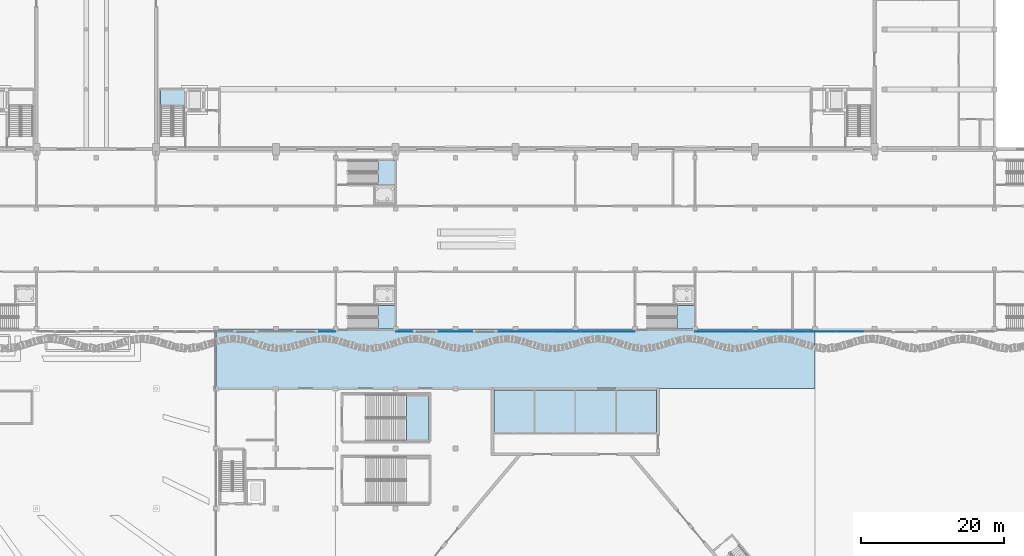
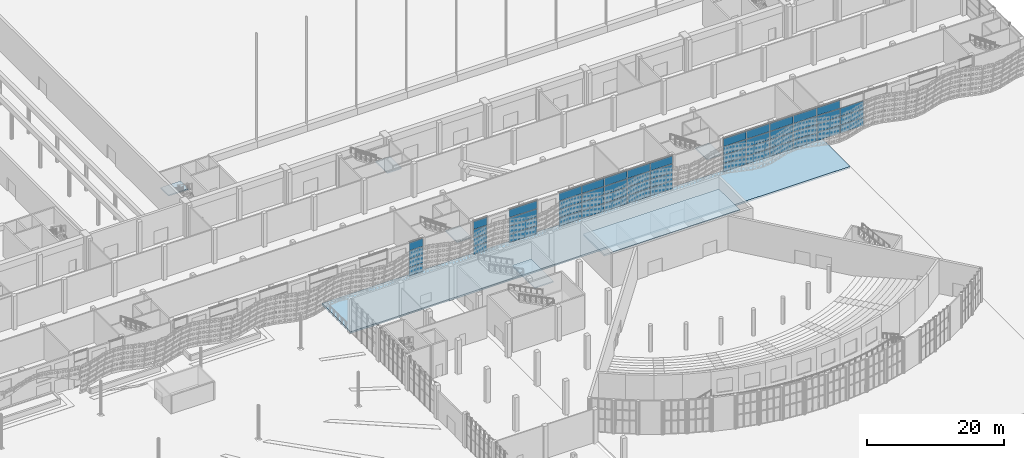
# One storey, part 92 of 210: 55 plates, 7 slabs, 10 elements without a shape of their own.
"""IFC4 building model written with IfcOpenShell, lengths in metres."""

from ifc_helpers import new_model, si_unit, direction, frame, origin, origin_2d, place, context, subcontext, project, spatial, polyline, rectangle, outline, extrude, material, layer, layer_set, type_object, element, aggregate, save


model = new_model("IFC4")

# Units and contexts
model_context = context("Model", 3, precision=1e-05, world=origin(), true_north=direction((0.0, 1.0)))
body_context = subcontext(model_context, "Body", "Model", "MODEL_VIEW")
ifc_project = project(units=[si_unit("LENGTHUNIT", "METRE"), si_unit("AREAUNIT", "SQUARE_METRE"), si_unit("VOLUMEUNIT", "CUBIC_METRE"), si_unit("PLANEANGLEUNIT", "RADIAN"), si_unit("MASSUNIT", "GRAM", prefix="KILO")], contexts=[model_context])

# Site, building, storey
site_placement = place(None, origin())
site = spatial("IfcSite", under=ifc_project, at=site_placement, CompositionType="ELEMENT")
building_placement = place(site_placement, origin())
building = spatial("IfcBuilding", under=site, at=building_placement, Name="Rain Tree Exposition and Congress Centre", CompositionType="ELEMENT")
storey_placement = place(building_placement, origin())
storey = spatial("IfcBuildingStorey", under=building, at=storey_placement, Name="L00", CompositionType="ELEMENT", Elevation=0.0)

# Curtain wall, plates
ifc_material_1 = material(Name="Aluminium curtain wall system", Category="aluminium")
ifc_layer_1 = layer(ifc_material_1, 0.10009765625)
ifc_layer_set_1 = layer_set([ifc_layer_1], Name="Aluminium curtain wall system")
curtain_wall_type = type_object("IfcCurtainWallType", Name="Concourse curtain wall 4200 module", PredefinedType="NOTDEFINED", material=ifc_layer_set_1)
curtain_wall_1_placement = place(storey_placement, origin())
curtain_wall_1 = element("IfcCurtainWall", 1, at=curtain_wall_1_placement, inside=storey, type_object=curtain_wall_type, Name="Concourse curtain wall CWC15", PredefinedType="NOTDEFINED")
ifc_material_2 = material(Name="Laminated low-e glass", Category="glass")
ifc_layer_2 = layer(ifc_material_2, 0.028076171875)
ifc_layer_set_2 = layer_set([ifc_layer_2], Name="Laminated low-e glass")
plate_type = type_object("IfcPlateType", Name="Concourse curtain wall glass panel 28", PredefinedType="CURTAIN_PANEL", material=ifc_layer_set_2)
plate_1_placement = place(storey_placement, frame((166.800048828125, 75.199951171875, 0.06005859375), z_axis=(0.0, 0.0, 1.0), x_axis=(1.0, 0.0, 0.0)))
plate_1 = element("IfcPlate", 2, at=plate_1_placement, type_object=plate_type, Name="CWC15 panel 1.1", PredefinedType="CURTAIN_PANEL", context=body_context, shape_type="SweptSolid", body=[
    extrude(rectangle(XDim=2.280029296875, YDim=0.028076171875, at=origin_2d()), origin(), (0.0, 0.0, 1.0), 1.409912109375),
])
plate_2_placement = place(storey_placement, frame((166.800048828125, 75.199951171875, 1.530029296875), z_axis=(0.0, 0.0, 1.0), x_axis=(1.0, 0.0, 0.0)))
plate_2 = element("IfcPlate", 3, at=plate_2_placement, type_object=plate_type, Name="CWC15 panel 1.2", PredefinedType="CURTAIN_PANEL", context=body_context, shape_type="SweptSolid", body=[
    extrude(rectangle(XDim=2.280029296875, YDim=0.028076171875, at=origin_2d()), origin(), (0.0, 0.0, 1.0), 1.43994140625),
])
plate_3_placement = place(storey_placement, frame((166.800048828125, 75.199951171875, 3.030029296875), z_axis=(0.0, 0.0, 1.0), x_axis=(1.0, 0.0, 0.0)))
plate_3 = element("IfcPlate", 4, at=plate_3_placement, type_object=plate_type, Name="CWC15 panel 1.3", PredefinedType="CURTAIN_PANEL", context=body_context, shape_type="SweptSolid", body=[
    extrude(rectangle(XDim=2.280029296875, YDim=0.028076171875, at=origin_2d()), origin(), (0.0, 0.0, 1.0), 1.43994140625),
])
plate_4_placement = place(storey_placement, frame((166.800048828125, 75.199951171875, 4.5302734375), z_axis=(0.0, 0.0, 1.0), x_axis=(1.0, 0.0, 0.0)))
plate_4 = element("IfcPlate", 5, at=plate_4_placement, type_object=plate_type, Name="CWC15 panel 1.4", PredefinedType="CURTAIN_PANEL", context=body_context, shape_type="SweptSolid", body=[
    extrude(rectangle(XDim=2.280029296875, YDim=0.028076171875, at=origin_2d()), origin(), (0.0, 0.0, 1.0), 1.409912109375),
])
aggregate(curtain_wall_1, [plate_1, plate_2, plate_3, plate_4])

curtain_wall_2_placement = place(storey_placement, origin())
curtain_wall_2 = element("IfcCurtainWall", 6, at=curtain_wall_2_placement, inside=storey, type_object=curtain_wall_type, Name="Concourse curtain wall CWC16", PredefinedType="NOTDEFINED")
plate_5_placement = place(storey_placement, frame((177.60009765625, 75.199951171875, 0.06005859375), z_axis=(0.0, 0.0, 1.0), x_axis=(1.0, 0.0, 0.0)))
plate_5 = element("IfcPlate", 7, at=plate_5_placement, type_object=plate_type, Name="CWC16 panel 1.1", PredefinedType="CURTAIN_PANEL", context=body_context, shape_type="SweptSolid", body=[
    extrude(rectangle(XDim=2.280029296875, YDim=0.028076171875, at=origin_2d()), origin(), (0.0, 0.0, 1.0), 1.409912109375),
])
plate_6_placement = place(storey_placement, frame((177.60009765625, 75.199951171875, 1.530029296875), z_axis=(0.0, 0.0, 1.0), x_axis=(1.0, 0.0, 0.0)))
plate_6 = element("IfcPlate", 8, at=plate_6_placement, type_object=plate_type, Name="CWC16 panel 1.2", PredefinedType="CURTAIN_PANEL", context=body_context, shape_type="SweptSolid", body=[
    extrude(rectangle(XDim=2.280029296875, YDim=0.028076171875, at=origin_2d()), origin(), (0.0, 0.0, 1.0), 1.43994140625),
])
plate_7_placement = place(storey_placement, frame((177.60009765625, 75.199951171875, 3.030029296875), z_axis=(0.0, 0.0, 1.0), x_axis=(1.0, 0.0, 0.0)))
plate_7 = element("IfcPlate", 9, at=plate_7_placement, type_object=plate_type, Name="CWC16 panel 1.3", PredefinedType="CURTAIN_PANEL", context=body_context, shape_type="SweptSolid", body=[
    extrude(rectangle(XDim=2.280029296875, YDim=0.028076171875, at=origin_2d()), origin(), (0.0, 0.0, 1.0), 1.43994140625),
])
plate_8_placement = place(storey_placement, frame((177.60009765625, 75.199951171875, 4.5302734375), z_axis=(0.0, 0.0, 1.0), x_axis=(1.0, 0.0, 0.0)))
plate_8 = element("IfcPlate", 10, at=plate_8_placement, type_object=plate_type, Name="CWC16 panel 1.4", PredefinedType="CURTAIN_PANEL", context=body_context, shape_type="SweptSolid", body=[
    extrude(rectangle(XDim=2.280029296875, YDim=0.028076171875, at=origin_2d()), origin(), (0.0, 0.0, 1.0), 1.409912109375),
])
aggregate(curtain_wall_2, [plate_5, plate_6, plate_7, plate_8])

curtain_wall_3_placement = place(storey_placement, origin())
curtain_wall_3 = element("IfcCurtainWall", 11, at=curtain_wall_3_placement, inside=storey, type_object=curtain_wall_type, Name="Concourse curtain wall CWC17", PredefinedType="NOTDEFINED")
plate_9_placement = place(storey_placement, frame((184.800048828125, 75.199951171875, 0.06005859375), z_axis=(0.0, 0.0, 1.0), x_axis=(1.0, 0.0, 0.0)))
plate_9 = element("IfcPlate", 12, at=plate_9_placement, type_object=plate_type, Name="CWC17 panel 1.1", PredefinedType="CURTAIN_PANEL", context=body_context, shape_type="SweptSolid", body=[
    extrude(rectangle(XDim=4.679931640625, YDim=0.028076171875, at=origin_2d()), origin(), (0.0, 0.0, 1.0), 1.409912109375),
])
plate_10_placement = place(storey_placement, frame((184.800048828125, 75.199951171875, 1.530029296875), z_axis=(0.0, 0.0, 1.0), x_axis=(1.0, 0.0, 0.0)))
plate_10 = element("IfcPlate", 13, at=plate_10_placement, type_object=plate_type, Name="CWC17 panel 1.2", PredefinedType="CURTAIN_PANEL", context=body_context, shape_type="SweptSolid", body=[
    extrude(rectangle(XDim=4.679931640625, YDim=0.028076171875, at=origin_2d()), origin(), (0.0, 0.0, 1.0), 1.43994140625),
])
plate_11_placement = place(storey_placement, frame((184.800048828125, 75.199951171875, 3.030029296875), z_axis=(0.0, 0.0, 1.0), x_axis=(1.0, 0.0, 0.0)))
plate_11 = element("IfcPlate", 14, at=plate_11_placement, type_object=plate_type, Name="CWC17 panel 1.3", PredefinedType="CURTAIN_PANEL", context=body_context, shape_type="SweptSolid", body=[
    extrude(rectangle(XDim=4.679931640625, YDim=0.028076171875, at=origin_2d()), origin(), (0.0, 0.0, 1.0), 1.43994140625),
])
plate_12_placement = place(storey_placement, frame((184.800048828125, 75.199951171875, 4.5302734375), z_axis=(0.0, 0.0, 1.0), x_axis=(1.0, 0.0, 0.0)))
plate_12 = element("IfcPlate", 15, at=plate_12_placement, type_object=plate_type, Name="CWC17 panel 1.4", PredefinedType="CURTAIN_PANEL", context=body_context, shape_type="SweptSolid", body=[
    extrude(rectangle(XDim=4.679931640625, YDim=0.028076171875, at=origin_2d()), origin(), (0.0, 0.0, 1.0), 1.409912109375),
])
aggregate(curtain_wall_3, [plate_9, plate_10, plate_11, plate_12])

curtain_wall_4_placement = place(storey_placement, origin())
curtain_wall_4 = element("IfcCurtainWall", 16, at=curtain_wall_4_placement, inside=storey, type_object=curtain_wall_type, Name="Concourse curtain wall CWC18", PredefinedType="NOTDEFINED")
plate_13_placement = place(storey_placement, frame((192.735107421875, 75.199951171875, 0.06005859375), z_axis=(0.0, 0.0, 1.0), x_axis=(1.0, 0.0, 0.0)))
plate_13 = element("IfcPlate", 17, at=plate_13_placement, type_object=plate_type, Name="CWC18 panel 1.1", PredefinedType="CURTAIN_PANEL", context=body_context, shape_type="SweptSolid", body=[
    extrude(rectangle(XDim=3.75, YDim=0.028076171875, at=origin_2d()), origin(), (0.0, 0.0, 1.0), 1.409912109375),
])
plate_14_placement = place(storey_placement, frame((192.735107421875, 75.199951171875, 1.530029296875), z_axis=(0.0, 0.0, 1.0), x_axis=(1.0, 0.0, 0.0)))
plate_14 = element("IfcPlate", 18, at=plate_14_placement, type_object=plate_type, Name="CWC18 panel 1.2", PredefinedType="CURTAIN_PANEL", context=body_context, shape_type="SweptSolid", body=[
    extrude(rectangle(XDim=3.75, YDim=0.028076171875, at=origin_2d()), origin(), (0.0, 0.0, 1.0), 1.43994140625),
])
plate_15_placement = place(storey_placement, frame((192.735107421875, 75.199951171875, 3.030029296875), z_axis=(0.0, 0.0, 1.0), x_axis=(1.0, 0.0, 0.0)))
plate_15 = element("IfcPlate", 19, at=plate_15_placement, type_object=plate_type, Name="CWC18 panel 1.3", PredefinedType="CURTAIN_PANEL", context=body_context, shape_type="SweptSolid", body=[
    extrude(rectangle(XDim=3.75, YDim=0.028076171875, at=origin_2d()), origin(), (0.0, 0.0, 1.0), 1.43994140625),
])
plate_16_placement = place(storey_placement, frame((192.735107421875, 75.199951171875, 4.5302734375), z_axis=(0.0, 0.0, 1.0), x_axis=(1.0, 0.0, 0.0)))
plate_16 = element("IfcPlate", 20, at=plate_16_placement, type_object=plate_type, Name="CWC18 panel 1.4", PredefinedType="CURTAIN_PANEL", context=body_context, shape_type="SweptSolid", body=[
    extrude(rectangle(XDim=3.75, YDim=0.028076171875, at=origin_2d()), origin(), (0.0, 0.0, 1.0), 1.409912109375),
])
plate_17_placement = place(storey_placement, frame((196.56005859375, 75.199951171875, 0.06005859375), z_axis=(0.0, 0.0, 1.0), x_axis=(1.0, 0.0, 0.0)))
plate_17 = element("IfcPlate", 21, at=plate_17_placement, type_object=plate_type, Name="CWC18 panel 2.1", PredefinedType="CURTAIN_PANEL", context=body_context, shape_type="SweptSolid", body=[
    extrude(rectangle(XDim=3.780029296875, YDim=0.028076171875, at=origin_2d()), origin(), (0.0, 0.0, 1.0), 1.409912109375),
])
plate_18_placement = place(storey_placement, frame((196.56005859375, 75.199951171875, 1.530029296875), z_axis=(0.0, 0.0, 1.0), x_axis=(1.0, 0.0, 0.0)))
plate_18 = element("IfcPlate", 22, at=plate_18_placement, type_object=plate_type, Name="CWC18 panel 2.2", PredefinedType="CURTAIN_PANEL", context=body_context, shape_type="SweptSolid", body=[
    extrude(rectangle(XDim=3.780029296875, YDim=0.028076171875, at=origin_2d()), origin(), (0.0, 0.0, 1.0), 1.43994140625),
])
plate_19_placement = place(storey_placement, frame((196.56005859375, 75.199951171875, 3.030029296875), z_axis=(0.0, 0.0, 1.0), x_axis=(1.0, 0.0, 0.0)))
plate_19 = element("IfcPlate", 23, at=plate_19_placement, type_object=plate_type, Name="CWC18 panel 2.3", PredefinedType="CURTAIN_PANEL", context=body_context, shape_type="SweptSolid", body=[
    extrude(rectangle(XDim=3.780029296875, YDim=0.028076171875, at=origin_2d()), origin(), (0.0, 0.0, 1.0), 1.43994140625),
])
plate_20_placement = place(storey_placement, frame((196.56005859375, 75.199951171875, 4.5302734375), z_axis=(0.0, 0.0, 1.0), x_axis=(1.0, 0.0, 0.0)))
plate_20 = element("IfcPlate", 24, at=plate_20_placement, type_object=plate_type, Name="CWC18 panel 2.4", PredefinedType="CURTAIN_PANEL", context=body_context, shape_type="SweptSolid", body=[
    extrude(rectangle(XDim=3.780029296875, YDim=0.028076171875, at=origin_2d()), origin(), (0.0, 0.0, 1.0), 1.409912109375),
])
plate_21_placement = place(storey_placement, frame((200.39990234375, 75.199951171875, 0.06005859375), z_axis=(0.0, 0.0, 1.0), x_axis=(1.0, 0.0, 0.0)))
plate_21 = element("IfcPlate", 25, at=plate_21_placement, type_object=plate_type, Name="CWC18 panel 3.1", PredefinedType="CURTAIN_PANEL", context=body_context, shape_type="SweptSolid", body=[
    extrude(rectangle(XDim=3.780029296875, YDim=0.028076171875, at=origin_2d()), origin(), (0.0, 0.0, 1.0), 1.409912109375),
])
plate_22_placement = place(storey_placement, frame((200.39990234375, 75.199951171875, 1.530029296875), z_axis=(0.0, 0.0, 1.0), x_axis=(1.0, 0.0, 0.0)))
plate_22 = element("IfcPlate", 26, at=plate_22_placement, type_object=plate_type, Name="CWC18 panel 3.2", PredefinedType="CURTAIN_PANEL", context=body_context, shape_type="SweptSolid", body=[
    extrude(rectangle(XDim=3.780029296875, YDim=0.028076171875, at=origin_2d()), origin(), (0.0, 0.0, 1.0), 1.43994140625),
])
plate_23_placement = place(storey_placement, frame((200.39990234375, 75.199951171875, 3.030029296875), z_axis=(0.0, 0.0, 1.0), x_axis=(1.0, 0.0, 0.0)))
plate_23 = element("IfcPlate", 27, at=plate_23_placement, type_object=plate_type, Name="CWC18 panel 3.3", PredefinedType="CURTAIN_PANEL", context=body_context, shape_type="SweptSolid", body=[
    extrude(rectangle(XDim=3.780029296875, YDim=0.028076171875, at=origin_2d()), origin(), (0.0, 0.0, 1.0), 1.43994140625),
])
plate_24_placement = place(storey_placement, frame((200.39990234375, 75.199951171875, 4.5302734375), z_axis=(0.0, 0.0, 1.0), x_axis=(1.0, 0.0, 0.0)))
plate_24 = element("IfcPlate", 28, at=plate_24_placement, type_object=plate_type, Name="CWC18 panel 3.4", PredefinedType="CURTAIN_PANEL", context=body_context, shape_type="SweptSolid", body=[
    extrude(rectangle(XDim=3.780029296875, YDim=0.028076171875, at=origin_2d()), origin(), (0.0, 0.0, 1.0), 1.409912109375),
])
plate_25_placement = place(storey_placement, frame((204.239990234375, 75.199951171875, 0.06005859375), z_axis=(0.0, 0.0, 1.0), x_axis=(1.0, 0.0, 0.0)))
plate_25 = element("IfcPlate", 29, at=plate_25_placement, type_object=plate_type, Name="CWC18 panel 4.1", PredefinedType="CURTAIN_PANEL", context=body_context, shape_type="SweptSolid", body=[
    extrude(rectangle(XDim=3.780029296875, YDim=0.028076171875, at=origin_2d()), origin(), (0.0, 0.0, 1.0), 1.409912109375),
])
plate_26_placement = place(storey_placement, frame((204.239990234375, 75.199951171875, 1.530029296875), z_axis=(0.0, 0.0, 1.0), x_axis=(1.0, 0.0, 0.0)))
plate_26 = element("IfcPlate", 30, at=plate_26_placement, type_object=plate_type, Name="CWC18 panel 4.2", PredefinedType="CURTAIN_PANEL", context=body_context, shape_type="SweptSolid", body=[
    extrude(rectangle(XDim=3.780029296875, YDim=0.028076171875, at=origin_2d()), origin(), (0.0, 0.0, 1.0), 1.43994140625),
])
plate_27_placement = place(storey_placement, frame((204.239990234375, 75.199951171875, 3.030029296875), z_axis=(0.0, 0.0, 1.0), x_axis=(1.0, 0.0, 0.0)))
plate_27 = element("IfcPlate", 31, at=plate_27_placement, type_object=plate_type, Name="CWC18 panel 4.3", PredefinedType="CURTAIN_PANEL", context=body_context, shape_type="SweptSolid", body=[
    extrude(rectangle(XDim=3.780029296875, YDim=0.028076171875, at=origin_2d()), origin(), (0.0, 0.0, 1.0), 1.43994140625),
])
plate_28_placement = place(storey_placement, frame((204.239990234375, 75.199951171875, 4.5302734375), z_axis=(0.0, 0.0, 1.0), x_axis=(1.0, 0.0, 0.0)))
plate_28 = element("IfcPlate", 32, at=plate_28_placement, type_object=plate_type, Name="CWC18 panel 4.4", PredefinedType="CURTAIN_PANEL", context=body_context, shape_type="SweptSolid", body=[
    extrude(rectangle(XDim=3.780029296875, YDim=0.028076171875, at=origin_2d()), origin(), (0.0, 0.0, 1.0), 1.409912109375),
])
plate_29_placement = place(storey_placement, frame((208.06494140625, 75.199951171875, 0.06005859375), z_axis=(0.0, 0.0, 1.0), x_axis=(1.0, 0.0, 0.0)))
plate_29 = element("IfcPlate", 33, at=plate_29_placement, type_object=plate_type, Name="CWC18 panel 5.1", PredefinedType="CURTAIN_PANEL", context=body_context, shape_type="SweptSolid", body=[
    extrude(rectangle(XDim=3.75, YDim=0.028076171875, at=origin_2d()), origin(), (0.0, 0.0, 1.0), 1.409912109375),
])
plate_30_placement = place(storey_placement, frame((208.06494140625, 75.199951171875, 1.530029296875), z_axis=(0.0, 0.0, 1.0), x_axis=(1.0, 0.0, 0.0)))
plate_30 = element("IfcPlate", 34, at=plate_30_placement, type_object=plate_type, Name="CWC18 panel 5.2", PredefinedType="CURTAIN_PANEL", context=body_context, shape_type="SweptSolid", body=[
    extrude(rectangle(XDim=3.75, YDim=0.028076171875, at=origin_2d()), origin(), (0.0, 0.0, 1.0), 1.43994140625),
])
plate_31_placement = place(storey_placement, frame((208.06494140625, 75.199951171875, 3.030029296875), z_axis=(0.0, 0.0, 1.0), x_axis=(1.0, 0.0, 0.0)))
plate_31 = element("IfcPlate", 35, at=plate_31_placement, type_object=plate_type, Name="CWC18 panel 5.3", PredefinedType="CURTAIN_PANEL", context=body_context, shape_type="SweptSolid", body=[
    extrude(rectangle(XDim=3.75, YDim=0.028076171875, at=origin_2d()), origin(), (0.0, 0.0, 1.0), 1.43994140625),
])
plate_32_placement = place(storey_placement, frame((208.06494140625, 75.199951171875, 4.5302734375), z_axis=(0.0, 0.0, 1.0), x_axis=(1.0, 0.0, 0.0)))
plate_32 = element("IfcPlate", 36, at=plate_32_placement, type_object=plate_type, Name="CWC18 panel 5.4", PredefinedType="CURTAIN_PANEL", context=body_context, shape_type="SweptSolid", body=[
    extrude(rectangle(XDim=3.75, YDim=0.028076171875, at=origin_2d()), origin(), (0.0, 0.0, 1.0), 1.409912109375),
])
aggregate(curtain_wall_4, [plate_13, plate_14, plate_15, plate_16, plate_17, plate_18, plate_19, plate_20, plate_21, plate_22, plate_23, plate_24, plate_25, plate_26, plate_27, plate_28, plate_29, plate_30, plate_31, plate_32])

curtain_wall_5_placement = place(storey_placement, origin())
curtain_wall_5 = element("IfcCurtainWall", 37, at=curtain_wall_5_placement, inside=storey, type_object=curtain_wall_type, Name="Concourse curtain wall CWC19", PredefinedType="NOTDEFINED")
plate_33_placement = place(storey_placement, frame((220.386474609375, 75.199951171875, 0.06005859375), z_axis=(0.0, 0.0, 1.0), x_axis=(1.0, 0.0, 0.0)))
plate_33 = element("IfcPlate", 38, at=plate_33_placement, type_object=plate_type, Name="CWC19 panel 1.1", PredefinedType="CURTAIN_PANEL", context=body_context, shape_type="SweptSolid", body=[
    extrude(rectangle(XDim=3.852783203125, YDim=0.028076171875, at=origin_2d()), origin(), (0.0, 0.0, 1.0), 1.409912109375),
])
plate_34_placement = place(storey_placement, frame((220.386474609375, 75.199951171875, 1.530029296875), z_axis=(0.0, 0.0, 1.0), x_axis=(1.0, 0.0, 0.0)))
plate_34 = element("IfcPlate", 39, at=plate_34_placement, type_object=plate_type, Name="CWC19 panel 1.2", PredefinedType="CURTAIN_PANEL", context=body_context, shape_type="SweptSolid", body=[
    extrude(rectangle(XDim=3.852783203125, YDim=0.028076171875, at=origin_2d()), origin(), (0.0, 0.0, 1.0), 1.43994140625),
])
plate_35_placement = place(storey_placement, frame((220.386474609375, 75.199951171875, 3.030029296875), z_axis=(0.0, 0.0, 1.0), x_axis=(1.0, 0.0, 0.0)))
plate_35 = element("IfcPlate", 40, at=plate_35_placement, type_object=plate_type, Name="CWC19 panel 1.3", PredefinedType="CURTAIN_PANEL", context=body_context, shape_type="SweptSolid", body=[
    extrude(rectangle(XDim=3.852783203125, YDim=0.028076171875, at=origin_2d()), origin(), (0.0, 0.0, 1.0), 1.43994140625),
])
plate_36_placement = place(storey_placement, frame((220.386474609375, 75.199951171875, 4.5302734375), z_axis=(0.0, 0.0, 1.0), x_axis=(1.0, 0.0, 0.0)))
plate_36 = element("IfcPlate", 41, at=plate_36_placement, type_object=plate_type, Name="CWC19 panel 1.4", PredefinedType="CURTAIN_PANEL", context=body_context, shape_type="SweptSolid", body=[
    extrude(rectangle(XDim=3.852783203125, YDim=0.028076171875, at=origin_2d()), origin(), (0.0, 0.0, 1.0), 1.409912109375),
])
plate_37_placement = place(storey_placement, frame((224.314208984375, 75.199951171875, 0.06005859375), z_axis=(0.0, 0.0, 1.0), x_axis=(1.0, 0.0, 0.0)))
plate_37 = element("IfcPlate", 42, at=plate_37_placement, type_object=plate_type, Name="CWC19 panel 2.1", PredefinedType="CURTAIN_PANEL", context=body_context, shape_type="SweptSolid", body=[
    extrude(rectangle(XDim=3.8828125, YDim=0.028076171875, at=origin_2d()), origin(), (0.0, 0.0, 1.0), 1.409912109375),
])
plate_38_placement = place(storey_placement, frame((224.314208984375, 75.199951171875, 1.530029296875), z_axis=(0.0, 0.0, 1.0), x_axis=(1.0, 0.0, 0.0)))
plate_38 = element("IfcPlate", 43, at=plate_38_placement, type_object=plate_type, Name="CWC19 panel 2.2", PredefinedType="CURTAIN_PANEL", context=body_context, shape_type="SweptSolid", body=[
    extrude(rectangle(XDim=3.8828125, YDim=0.028076171875, at=origin_2d()), origin(), (0.0, 0.0, 1.0), 1.43994140625),
])
plate_39_placement = place(storey_placement, frame((224.314208984375, 75.199951171875, 3.030029296875), z_axis=(0.0, 0.0, 1.0), x_axis=(1.0, 0.0, 0.0)))
plate_39 = element("IfcPlate", 44, at=plate_39_placement, type_object=plate_type, Name="CWC19 panel 2.3", PredefinedType="CURTAIN_PANEL", context=body_context, shape_type="SweptSolid", body=[
    extrude(rectangle(XDim=3.8828125, YDim=0.028076171875, at=origin_2d()), origin(), (0.0, 0.0, 1.0), 1.43994140625),
])
plate_40_placement = place(storey_placement, frame((224.314208984375, 75.199951171875, 4.5302734375), z_axis=(0.0, 0.0, 1.0), x_axis=(1.0, 0.0, 0.0)))
plate_40 = element("IfcPlate", 45, at=plate_40_placement, type_object=plate_type, Name="CWC19 panel 2.4", PredefinedType="CURTAIN_PANEL", context=body_context, shape_type="SweptSolid", body=[
    extrude(rectangle(XDim=3.8828125, YDim=0.028076171875, at=origin_2d()), origin(), (0.0, 0.0, 1.0), 1.409912109375),
])
plate_41_placement = place(storey_placement, frame((228.257080078125, 75.199951171875, 0.06005859375), z_axis=(0.0, 0.0, 1.0), x_axis=(1.0, 0.0, 0.0)))
plate_41 = element("IfcPlate", 46, at=plate_41_placement, type_object=plate_type, Name="CWC19 panel 3.1", PredefinedType="CURTAIN_PANEL", context=body_context, shape_type="SweptSolid", body=[
    extrude(rectangle(XDim=3.8828125, YDim=0.028076171875, at=origin_2d()), origin(), (0.0, 0.0, 1.0), 1.409912109375),
])
plate_42_placement = place(storey_placement, frame((228.257080078125, 75.199951171875, 1.530029296875), z_axis=(0.0, 0.0, 1.0), x_axis=(1.0, 0.0, 0.0)))
plate_42 = element("IfcPlate", 47, at=plate_42_placement, type_object=plate_type, Name="CWC19 panel 3.2", PredefinedType="CURTAIN_PANEL", context=body_context, shape_type="SweptSolid", body=[
    extrude(rectangle(XDim=3.8828125, YDim=0.028076171875, at=origin_2d()), origin(), (0.0, 0.0, 1.0), 1.43994140625),
])
plate_43_placement = place(storey_placement, frame((228.257080078125, 75.199951171875, 3.030029296875), z_axis=(0.0, 0.0, 1.0), x_axis=(1.0, 0.0, 0.0)))
plate_43 = element("IfcPlate", 48, at=plate_43_placement, type_object=plate_type, Name="CWC19 panel 3.3", PredefinedType="CURTAIN_PANEL", context=body_context, shape_type="SweptSolid", body=[
    extrude(rectangle(XDim=3.8828125, YDim=0.028076171875, at=origin_2d()), origin(), (0.0, 0.0, 1.0), 1.43994140625),
])
plate_44_placement = place(storey_placement, frame((228.257080078125, 75.199951171875, 4.5302734375), z_axis=(0.0, 0.0, 1.0), x_axis=(1.0, 0.0, 0.0)))
plate_44 = element("IfcPlate", 49, at=plate_44_placement, type_object=plate_type, Name="CWC19 panel 3.4", PredefinedType="CURTAIN_PANEL", context=body_context, shape_type="SweptSolid", body=[
    extrude(rectangle(XDim=3.8828125, YDim=0.028076171875, at=origin_2d()), origin(), (0.0, 0.0, 1.0), 1.409912109375),
])
plate_45_placement = place(storey_placement, frame((232.199951171875, 75.199951171875, 0.06005859375), z_axis=(0.0, 0.0, 1.0), x_axis=(1.0, 0.0, 0.0)))
plate_45 = element("IfcPlate", 50, at=plate_45_placement, type_object=plate_type, Name="CWC19 panel 4.1", PredefinedType="CURTAIN_PANEL", context=body_context, shape_type="SweptSolid", body=[
    extrude(rectangle(XDim=3.8828125, YDim=0.028076171875, at=origin_2d()), origin(), (0.0, 0.0, 1.0), 1.409912109375),
])
plate_46_placement = place(storey_placement, frame((232.199951171875, 75.199951171875, 1.530029296875), z_axis=(0.0, 0.0, 1.0), x_axis=(1.0, 0.0, 0.0)))
plate_46 = element("IfcPlate", 51, at=plate_46_placement, type_object=plate_type, Name="CWC19 panel 4.2", PredefinedType="CURTAIN_PANEL", context=body_context, shape_type="SweptSolid", body=[
    extrude(rectangle(XDim=3.8828125, YDim=0.028076171875, at=origin_2d()), origin(), (0.0, 0.0, 1.0), 1.43994140625),
])
plate_47_placement = place(storey_placement, frame((232.199951171875, 75.199951171875, 3.030029296875), z_axis=(0.0, 0.0, 1.0), x_axis=(1.0, 0.0, 0.0)))
plate_47 = element("IfcPlate", 52, at=plate_47_placement, type_object=plate_type, Name="CWC19 panel 4.3", PredefinedType="CURTAIN_PANEL", context=body_context, shape_type="SweptSolid", body=[
    extrude(rectangle(XDim=3.8828125, YDim=0.028076171875, at=origin_2d()), origin(), (0.0, 0.0, 1.0), 1.43994140625),
])
plate_48_placement = place(storey_placement, frame((232.199951171875, 75.199951171875, 4.5302734375), z_axis=(0.0, 0.0, 1.0), x_axis=(1.0, 0.0, 0.0)))
plate_48 = element("IfcPlate", 53, at=plate_48_placement, type_object=plate_type, Name="CWC19 panel 4.4", PredefinedType="CURTAIN_PANEL", context=body_context, shape_type="SweptSolid", body=[
    extrude(rectangle(XDim=3.8828125, YDim=0.028076171875, at=origin_2d()), origin(), (0.0, 0.0, 1.0), 1.409912109375),
])
plate_49_placement = place(storey_placement, frame((236.142822265625, 75.199951171875, 0.06005859375), z_axis=(0.0, 0.0, 1.0), x_axis=(1.0, 0.0, 0.0)))
plate_49 = element("IfcPlate", 54, at=plate_49_placement, type_object=plate_type, Name="CWC19 panel 5.1", PredefinedType="CURTAIN_PANEL", context=body_context, shape_type="SweptSolid", body=[
    extrude(rectangle(XDim=3.8828125, YDim=0.028076171875, at=origin_2d()), origin(), (0.0, 0.0, 1.0), 1.409912109375),
])
plate_50_placement = place(storey_placement, frame((236.142822265625, 75.199951171875, 1.530029296875), z_axis=(0.0, 0.0, 1.0), x_axis=(1.0, 0.0, 0.0)))
plate_50 = element("IfcPlate", 55, at=plate_50_placement, type_object=plate_type, Name="CWC19 panel 5.2", PredefinedType="CURTAIN_PANEL", context=body_context, shape_type="SweptSolid", body=[
    extrude(rectangle(XDim=3.8828125, YDim=0.028076171875, at=origin_2d()), origin(), (0.0, 0.0, 1.0), 1.43994140625),
])
plate_51_placement = place(storey_placement, frame((236.142822265625, 75.199951171875, 3.030029296875), z_axis=(0.0, 0.0, 1.0), x_axis=(1.0, 0.0, 0.0)))
plate_51 = element("IfcPlate", 56, at=plate_51_placement, type_object=plate_type, Name="CWC19 panel 5.3", PredefinedType="CURTAIN_PANEL", context=body_context, shape_type="SweptSolid", body=[
    extrude(rectangle(XDim=3.8828125, YDim=0.028076171875, at=origin_2d()), origin(), (0.0, 0.0, 1.0), 1.43994140625),
])
plate_52_placement = place(storey_placement, frame((236.142822265625, 75.199951171875, 4.5302734375), z_axis=(0.0, 0.0, 1.0), x_axis=(1.0, 0.0, 0.0)))
plate_52 = element("IfcPlate", 57, at=plate_52_placement, type_object=plate_type, Name="CWC19 panel 5.4", PredefinedType="CURTAIN_PANEL", context=body_context, shape_type="SweptSolid", body=[
    extrude(rectangle(XDim=3.8828125, YDim=0.028076171875, at=origin_2d()), origin(), (0.0, 0.0, 1.0), 1.409912109375),
])
plate_53_placement = place(storey_placement, frame((240.085693359375, 75.199951171875, 0.06005859375), z_axis=(0.0, 0.0, 1.0), x_axis=(1.0, 0.0, 0.0)))
plate_53 = element("IfcPlate", 58, at=plate_53_placement, type_object=plate_type, Name="CWC19 panel 6.1", PredefinedType="CURTAIN_PANEL", context=body_context, shape_type="SweptSolid", body=[
    extrude(rectangle(XDim=3.8828125, YDim=0.028076171875, at=origin_2d()), origin(), (0.0, 0.0, 1.0), 1.409912109375),
])
plate_54_placement = place(storey_placement, frame((240.085693359375, 75.199951171875, 1.530029296875), z_axis=(0.0, 0.0, 1.0), x_axis=(1.0, 0.0, 0.0)))
plate_54 = element("IfcPlate", 59, at=plate_54_placement, type_object=plate_type, Name="CWC19 panel 6.2", PredefinedType="CURTAIN_PANEL", context=body_context, shape_type="SweptSolid", body=[
    extrude(rectangle(XDim=3.8828125, YDim=0.028076171875, at=origin_2d()), origin(), (0.0, 0.0, 1.0), 1.43994140625),
])
plate_55_placement = place(storey_placement, frame((240.085693359375, 75.199951171875, 3.030029296875), z_axis=(0.0, 0.0, 1.0), x_axis=(1.0, 0.0, 0.0)))
plate_55 = element("IfcPlate", 60, at=plate_55_placement, type_object=plate_type, Name="CWC19 panel 6.3", PredefinedType="CURTAIN_PANEL", context=body_context, shape_type="SweptSolid", body=[
    extrude(rectangle(XDim=3.8828125, YDim=0.028076171875, at=origin_2d()), origin(), (0.0, 0.0, 1.0), 1.43994140625),
])
aggregate(curtain_wall_5, [plate_33, plate_34, plate_35, plate_36, plate_37, plate_38, plate_39, plate_40, plate_41, plate_42, plate_43, plate_44, plate_45, plate_46, plate_47, plate_48, plate_49, plate_50, plate_51, plate_52, plate_53, plate_54, plate_55])

# Slab
ifc_material_3 = material(Name="Concrete C40/50", Category="concrete")
ifc_layer_3 = layer(ifc_material_3, 0.300048828125)
ifc_layer_set_3 = layer_set([ifc_layer_3], Name="Concrete C40/50")
slab_type_1 = type_object("IfcSlabType", Name="Concourse forecourt paving slab 300", PredefinedType="BASESLAB", material=ifc_layer_set_3)
slab_1_placement = place(storey_placement, frame((0.0, 0.0, -0.300048828125)))
element("IfcSlab", 61, at=slab_1_placement, inside=storey, type_object=slab_type_1, Name="Concourse forecourt paving", PredefinedType="BASESLAB", context=body_context, shape_type="SweptSolid", body=[
    extrude(outline(polyline([(235.199951171875, 67.199951171875), (151.199951171875, 67.199951171875), (151.199951171875, 75.60009765625), (235.199951171875, 75.60009765625), (235.199951171875, 67.199951171875)])), origin(), (0.0, 0.0, 1.0), 0.300048828125),
])

# Stair, slab
ifc_material_4 = material(Name="Precast concrete C50/60", Category="concrete")
stair_type_1 = type_object("IfcStairType", Name="Concourse dogleg stair 1600", PredefinedType="HALF_TURN_STAIR", material=ifc_material_4)
stair_1_placement = place(storey_placement, origin())
stair_1 = element("IfcStair", 62, at=stair_1_placement, inside=storey, type_object=stair_type_1, Name="L00 Concourse stair", PredefinedType="HALF_TURN_STAIR")
ifc_material_5 = material(Name="Precast concrete C50/60", Category="concrete")
ifc_layer_4 = layer(ifc_material_5, 0.199951171875)
ifc_layer_set_4 = layer_set([ifc_layer_4], Name="Precast concrete C50/60")
slab_type_2 = type_object("IfcSlabType", Name="Concourse stair landing 200", PredefinedType="LANDING", material=ifc_layer_set_4)
slab_2_placement = place(storey_placement, frame((0.0, 0.0, 2.800048828125)))
slab_2 = element("IfcSlab", 63, at=slab_2_placement, type_object=slab_type_2, Name="ST-C4 landing 1", PredefinedType="LANDING", context=body_context, shape_type="SweptSolid", body=[
    extrude(outline(polyline([(173.89990234375, 75.550048828125), (176.300048828125, 75.550048828125), (176.300048828125, 78.89990234375), (173.89990234375, 78.89990234375), (173.89990234375, 75.550048828125)])), origin(), (0.0, 0.0, 1.0), 0.199951171875),
])
aggregate(stair_1, [slab_2])

stair_2_placement = place(storey_placement, origin())
stair_2 = element("IfcStair", 64, at=stair_2_placement, inside=storey, type_object=stair_type_1, Name="L00 Concourse stair", PredefinedType="HALF_TURN_STAIR")
slab_3_placement = place(storey_placement, frame((0.0, 0.0, 2.800048828125)))
slab_3 = element("IfcSlab", 65, at=slab_3_placement, type_object=slab_type_2, Name="ST-C5 landing 1", PredefinedType="LANDING", context=body_context, shape_type="SweptSolid", body=[
    extrude(outline(polyline([(215.89990234375, 75.550048828125), (218.300048828125, 75.550048828125), (218.300048828125, 78.89990234375), (215.89990234375, 78.89990234375), (215.89990234375, 75.550048828125)])), origin(), (0.0, 0.0, 1.0), 0.199951171875),
])
aggregate(stair_2, [slab_3])

stair_3_placement = place(storey_placement, origin())
stair_3 = element("IfcStair", 66, at=stair_3_placement, inside=storey, type_object=stair_type_1, Name="L00 Concourse stair", PredefinedType="HALF_TURN_STAIR")
slab_4_placement = place(storey_placement, frame((0.0, 0.0, 2.800048828125)))
slab_4 = element("IfcSlab", 67, at=slab_4_placement, type_object=slab_type_2, Name="ST-C11 landing 1", PredefinedType="LANDING", context=body_context, shape_type="SweptSolid", body=[
    extrude(outline(polyline([(173.89990234375, 95.85009765625), (176.300048828125, 95.85009765625), (176.300048828125, 99.199951171875), (173.89990234375, 99.199951171875), (173.89990234375, 95.85009765625)])), origin(), (0.0, 0.0, 1.0), 0.199951171875),
])
aggregate(stair_3, [slab_4])

# Slab
ifc_material_6 = material(Name="Precast concrete C50/60", Category="concrete")
ifc_layer_5 = layer(ifc_material_6, 0.300048828125)
ifc_layer_set_5 = layer_set([ifc_layer_5], Name="Precast concrete C50/60")
slab_type_3 = type_object("IfcSlabType", Name="Foyer floor slab 300", PredefinedType="FLOOR", material=ifc_layer_set_5)
slab_5_placement = place(storey_placement, frame((0.0, 0.0, 3.60009765625)))
element("IfcSlab", 68, at=slab_5_placement, inside=storey, type_object=slab_type_3, Name="Backstage loft slab", PredefinedType="FLOOR", context=body_context, shape_type="SweptSolid", body=[
    extrude(outline(polyline([(213.0, 60.89990234375), (213.0, 67.0), (190.199951171875, 67.0), (190.199951171875, 60.89990234375), (213.0, 60.89990234375)])), origin(), (0.0, 0.0, 1.0), 0.2998046875),
])

# Stair, slab
ifc_material_7 = material(Name="Concrete C40/50", Category="concrete")
stair_type_2 = type_object("IfcStairType", Name="Half-turn stair 1600", PredefinedType="HALF_TURN_STAIR", material=ifc_material_7)
stair_4_placement = place(storey_placement, origin())
stair_4 = element("IfcStair", 69, at=stair_4_placement, inside=storey, type_object=stair_type_2, Name="L00 Stair H5", PredefinedType="HALF_TURN_STAIR")
ifc_material_8 = material(Name="Concrete C40/50", Category="concrete")
ifc_layer_6 = layer(ifc_material_8, 0.199951171875)
ifc_layer_set_6 = layer_set([ifc_layer_6], Name="Concrete C40/50")
slab_type_4 = type_object("IfcSlabType", Name="Stair landing 200", PredefinedType="LANDING", material=ifc_layer_set_6)
slab_6_placement = place(storey_placement, frame((0.0, 0.0, 2.800048828125)))
slab_6 = element("IfcSlab", 70, at=slab_6_placement, type_object=slab_type_4, Name="ST-H5 landing 1", PredefinedType="LANDING", context=body_context, shape_type="SweptSolid", body=[
    extrude(outline(polyline([(146.77490234375, 106.800048828125), (146.77490234375, 109.074951171875), (143.425048828125, 109.074951171875), (143.425048828125, 106.800048828125), (146.77490234375, 106.800048828125)])), origin(), (0.0, 0.0, 1.0), 0.199951171875),
])
aggregate(stair_4, [slab_6])

ifc_material_9 = material(Name="Concrete C40/50", Category="concrete")
stair_type_3 = type_object("IfcStairType", Name="Half-turn stair congress", PredefinedType="HALF_TURN_STAIR", material=ifc_material_9)
stair_5_placement = place(storey_placement, origin())
stair_5 = element("IfcStair", 71, at=stair_5_placement, inside=storey, type_object=stair_type_3, Name="L00 Stair ST-G4", PredefinedType="HALF_TURN_STAIR")
ifc_material_10 = material(Name="Concrete C40/50", Category="concrete")
ifc_layer_7 = layer(ifc_material_10, 0.199951171875)
ifc_layer_set_7 = layer_set([ifc_layer_7], Name="Concrete C40/50")
slab_type_5 = type_object("IfcSlabType", Name="Stair landing slab 200", PredefinedType="LANDING", material=ifc_layer_set_7)
slab_7_placement = place(storey_placement, frame((0.0, 0.0, 2.800048828125)))
slab_7 = element("IfcSlab", 72, at=slab_7_placement, type_object=slab_type_5, Name="ST-G4 landing 1", PredefinedType="LANDING", context=body_context, shape_type="SweptSolid", body=[
    extrude(outline(polyline([(177.89990234375, 59.85009765625), (181.10009765625, 59.85009765625), (181.10009765625, 66.35009765625), (177.89990234375, 66.35009765625), (177.89990234375, 59.85009765625)])), origin(), (0.0, 0.0, 1.0), 0.199951171875),
])
aggregate(stair_5, [slab_7])

save(model, "model.ifc")
